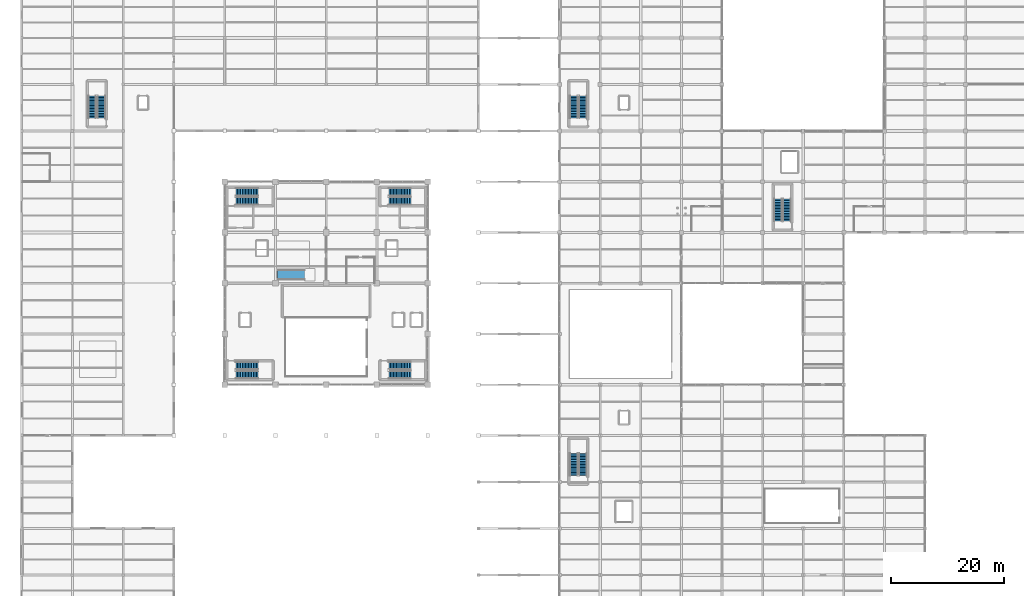
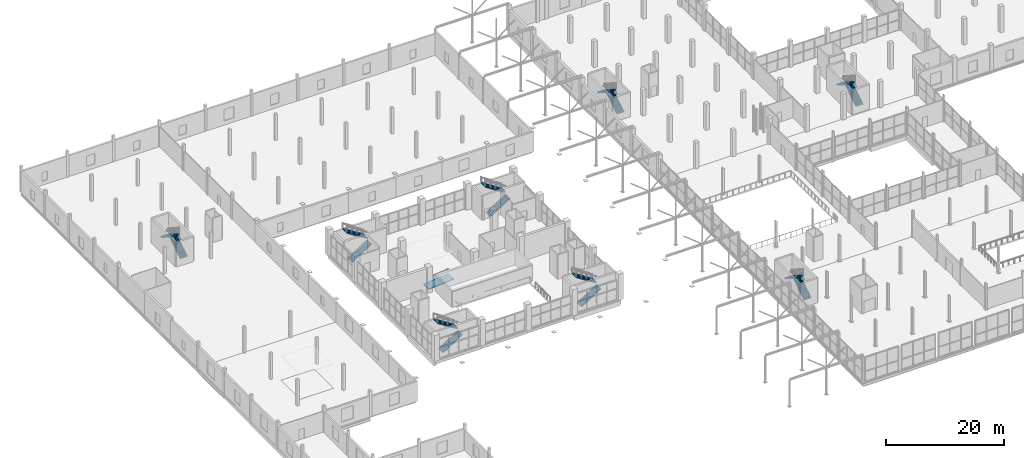
# One storey, part 137 of 147: 16 stair flights, 1 ramp flight, 9 elements without a shape of their own.
"""IFC4 building model written with IfcOpenShell, lengths in metres."""

import ifcopenshell
import ifcopenshell.guid

model = None  # the IFC model being written
_history = None  # IfcOwnerHistory: only IFC2X3 demands one
_inside = {}  # id of a spatial element -> (the spatial element, [elements in it])
_under = {}  # id of a project, library or spatial element -> (it, [spatial elements below it])
_declared = {}  # id of a project -> (the project, [libraries it declares])
_typed = {}  # id of a type object -> (the type object, [elements of that type])
_made_of = {}  # id of a material, layer set ... -> (it, [elements and type objects made of it])


def new_model(schema):
    """Start an empty IFC model of exactly this schema.

    Asked for "IFC4X3", IfcOpenShell would pick the latest addendum, in which some entities
    have other attributes; the version numbers below select the first issue.
    IFC2X3 requires an IfcOwnerHistory on every rooted entity: one is made here for all.
    """
    global model, _history
    if schema == "IFC4X3":
        model = ifcopenshell.file(schema_version=(4, 3, 0, 0))
    else:
        model = ifcopenshell.file(schema=schema)
    _inside.clear()
    _under.clear()
    _declared.clear()
    _typed.clear()
    _made_of.clear()
    _history = None
    if model.schema == "IFC2X3":
        org = make("IfcOrganization", Name="unknown")
        user = make(
            "IfcPersonAndOrganization",
            ThePerson=make("IfcPerson", FamilyName="unknown"),
            TheOrganization=org,
        )
        app = make(
            "IfcApplication",
            ApplicationDeveloper=org,
            Version="unknown",
            ApplicationFullName="unknown",
            ApplicationIdentifier="unknown",
        )
        _history = make(
            "IfcOwnerHistory",
            OwningUser=user,
            OwningApplication=app,
            ChangeAction="ADDED",
            CreationDate=0,
        )
    return model


def make(cls, **values):
    """One entity of the class cls with the attributes given. An attribute that is None is left unset."""
    return model.create_entity(
        cls, **{name: value for name, value in values.items() if value is not None}
    )


def rooted(cls, **values):
    """An entity with a GlobalId (a new one), such as an element, a storey or a relation."""
    return make(cls, GlobalId=ifcopenshell.guid.new(), OwnerHistory=_history, **values)


def si_unit(unit_type, name, prefix=None):
    """IfcSIUnit, for example si_unit("LENGTHUNIT", "METRE", prefix="MILLI")."""
    return make("IfcSIUnit", UnitType=unit_type, Prefix=prefix, Name=name)


def assignment(units):
    """IfcUnitAssignment: the units of a project."""
    return None if units is None else make("IfcUnitAssignment", Units=units)


def point(xyz):
    """IfcCartesianPoint."""
    return None if xyz is None else make("IfcCartesianPoint", Coordinates=xyz)


def direction(xyz):
    """IfcDirection."""
    return None if xyz is None else make("IfcDirection", DirectionRatios=xyz)


def frame(location, z_axis=None, x_axis=None):
    """IfcAxis2Placement3D, a coordinate frame: its origin and axes. An axis left out is left unset."""
    return make(
        "IfcAxis2Placement3D",
        Location=point(location),
        Axis=direction(z_axis),
        RefDirection=direction(x_axis),
    )


def origin():
    """The frame at (0, 0, 0) with its axes left unset."""
    return frame((0.0, 0.0, 0.0))


def place(relative_to, where):
    """IfcLocalPlacement: puts the frame where relative to a parent placement (None: the world)."""
    return make(
        "IfcLocalPlacement", PlacementRelTo=relative_to, RelativePlacement=where
    )


def context(
    kind, dimensions, precision=None, world=None, true_north=None, identifier=None
):
    """IfcGeometricRepresentationContext, for example the 3D "Model" context."""
    return make(
        "IfcGeometricRepresentationContext",
        ContextIdentifier=identifier,
        ContextType=kind,
        CoordinateSpaceDimension=dimensions,
        Precision=precision,
        WorldCoordinateSystem=world,
        TrueNorth=true_north,
    )


def subcontext(parent, identifier, kind, view, scale=None):
    """IfcGeometricRepresentationSubContext, for example "Body" below "Model"."""
    return make(
        "IfcGeometricRepresentationSubContext",
        ContextIdentifier=identifier,
        ContextType=kind,
        ParentContext=parent,
        TargetScale=scale,
        TargetView=view,
    )


def project(units=None, contexts=None):
    """IfcProject with its units and contexts."""
    return rooted(
        "IfcProject",
        Name="project",
        RepresentationContexts=contexts,
        UnitsInContext=assignment(units),
    )


def spatial(cls, under=None, at=None, **own):
    """A site, building, storey or space (cls), placed at a placement, below another one or the project."""
    s = rooted(cls, ObjectPlacement=at, **own)
    if under is not None:
        _under.setdefault(under.id(), (under, []))[1].append(s)
    return s


def polyline(points):
    """IfcPolyline through the points."""
    return make("IfcPolyline", Points=[point(p) for p in points])


def outline(outer, holes=None, kind="AREA"):
    """IfcArbitraryClosedProfileDef: a profile drawn as a closed curve; with holes, ...WithVoids."""
    if holes is None:
        return make("IfcArbitraryClosedProfileDef", ProfileType=kind, OuterCurve=outer)
    return make(
        "IfcArbitraryProfileDefWithVoids",
        ProfileType=kind,
        OuterCurve=outer,
        InnerCurves=holes,
    )


def extrude(swept, where, along, depth):
    """IfcExtrudedAreaSolid: the profile swept, set in the frame where, extruded along a direction by depth."""
    return make(
        "IfcExtrudedAreaSolid",
        SweptArea=swept,
        Position=where,
        ExtrudedDirection=direction(along),
        Depth=depth,
    )


def shape(context_of_items, identifier, shape_type, items):
    """IfcShapeRepresentation: the items that make up one representation, for example the "Body"."""
    return make(
        "IfcShapeRepresentation",
        ContextOfItems=context_of_items,
        RepresentationIdentifier=identifier,
        RepresentationType=shape_type,
        Items=items,
    )


def material(Name=None, Category=None):
    """IfcMaterial."""
    return make("IfcMaterial", Name=Name, Category=Category)


def layer(
    of_material, thickness, ventilated=None, Name=None, Category=None, Priority=None
):
    """IfcMaterialLayer: one layer of a wall or slab, of a material (None: an air gap)."""
    return make(
        "IfcMaterialLayer",
        Material=of_material,
        LayerThickness=thickness,
        IsVentilated=ventilated,
        Name=Name,
        Category=Category,
        Priority=Priority,
    )


def layer_set(layers, Name=None):
    """IfcMaterialLayerSet."""
    return make("IfcMaterialLayerSet", MaterialLayers=layers, LayerSetName=Name)


def made_of(thing, what):
    """Note that an element or type object is made of a material, layer set ...; save() writes the relation."""
    if what is not None:
        _made_of.setdefault(what.id(), (what, []))[1].append(thing)
    return thing


def type_object(cls, material=None, **own):
    """A type object (cls), such as IfcWallType, which elements share."""
    return made_of(rooted(cls, **own), material)


def element(
    cls,
    number,
    at=None,
    inside=None,
    cuts=None,
    type_object=None,
    material=None,
    context=None,
    identifier="Body",
    shape_type=None,
    held_by="IfcProductDefinitionShape",
    body=None,
    shapes=None,
    **own,
):
    """One element of the class cls, such as IfcWall. Its Tag is "e" and its number.

    at: its placement. inside: the storey or other place that contains it. cuts: it is an
    opening in that element (IfcRelVoidsElement). A single representation is given by context,
    identifier, shape_type and body (its items); several are given by shapes. held_by: the class
    of the entity that holds the representations. save() writes the other relations.
    """
    e = rooted(cls, Tag="e%d" % number, ObjectPlacement=at, **own)
    if body is not None:
        shapes = [shape(context, identifier, shape_type, body)]
    if shapes is not None:
        e.Representation = make(held_by, Representations=shapes)
    if inside is not None:
        _inside.setdefault(inside.id(), (inside, []))[1].append(e)
    if cuts is not None:
        rooted(
            "IfcRelVoidsElement", RelatingBuildingElement=cuts, RelatedOpeningElement=e
        )
    if type_object is not None:
        _typed.setdefault(type_object.id(), (type_object, []))[1].append(e)
    return made_of(e, material)


def aggregate(whole, parts):
    """IfcRelAggregates: a whole, such as a stair, and the parts it consists of."""
    return rooted("IfcRelAggregates", RelatingObject=whole, RelatedObjects=parts)


def save(model, path):
    """Write the relations noted so far, then the file.

    IfcRelAggregates (storeys below a building ...), IfcRelContainedInSpatialStructure (elements
    in a storey), IfcRelDefinesByType, IfcRelAssociatesMaterial and IfcRelDeclares: one each for
    every whole, place, type object, material and project.
    """
    for whole, parts in _under.values():
        aggregate(whole, parts)
    for where, things in _inside.values():
        rooted(
            "IfcRelContainedInSpatialStructure",
            RelatedElements=things,
            RelatingStructure=where,
        )
    for kind, things in _typed.values():
        rooted("IfcRelDefinesByType", RelatedObjects=things, RelatingType=kind)
    for what, things in _made_of.values():
        rooted("IfcRelAssociatesMaterial", RelatedObjects=things, RelatingMaterial=what)
    for by, libraries in _declared.values():
        rooted("IfcRelDeclares", RelatingContext=by, RelatedDefinitions=libraries)
    model.write(path)


model = new_model("IFC4")

# Units and contexts
model_context = context("Model", 3, precision=1e-05, world=origin(), true_north=direction((0.0, 1.0)))
body_context = subcontext(model_context, "Body", "Model", "MODEL_VIEW")
ifc_project = project(units=[si_unit("LENGTHUNIT", "METRE"), si_unit("AREAUNIT", "SQUARE_METRE"), si_unit("VOLUMEUNIT", "CUBIC_METRE"), si_unit("PLANEANGLEUNIT", "RADIAN"), si_unit("MASSUNIT", "GRAM", prefix="KILO")], contexts=[model_context])

# Site, building, storey
site_placement = place(None, origin())
site = spatial("IfcSite", under=ifc_project, at=site_placement, CompositionType="ELEMENT")
building_placement = place(site_placement, origin())
building = spatial("IfcBuilding", under=site, at=building_placement, Name="Sundgate Opera House", CompositionType="ELEMENT")
storey_placement = place(building_placement, frame((0.0, 0.0, 6.0)))
storey = spatial("IfcBuildingStorey", under=building, at=storey_placement, Name="L01", CompositionType="ELEMENT", Elevation=6.0)

# Stair, stair flights
ifc_material_1 = material(Name="Concrete C35/45", Category="concrete")
stair_type = type_object("IfcStairType", Name="ST-HT-30R-1450", PredefinedType="HALF_TURN_STAIR", material=ifc_material_1)
stair_1_placement = place(storey_placement, origin())
stair_1 = element("IfcStair", 1, at=stair_1_placement, inside=storey, type_object=stair_type, Name="L01 Escape Stair ST-01", PredefinedType="HALF_TURN_STAIR")
ifc_material_2 = material(Name="Concrete C35/45", Category="concrete")
stair_flight_type = type_object("IfcStairFlightType", Name="SF-STR-15R-1450", PredefinedType="STRAIGHT", material=ifc_material_2)
stair_flight_1_placement = place(storey_placement, frame((38.0, 43.77490234375, 0.0), z_axis=(0.0, 0.0, 1.0), x_axis=(1.0, 0.0, 0.0)))
stair_flight_1 = element("IfcStairFlight", 2, at=stair_flight_1_placement, type_object=stair_flight_type, Name="ST01L01 Flight 1", NumberOfRisers=15, NumberOfTreads=14, PredefinedType="STRAIGHT", RiserHeight=0.18, TreadLength=0.28, context=body_context, shape_type="SweptSolid", body=[
    extrude(outline(polyline([(0.0, 0.0), (0.0, 0.179931640625), (0.280029296875, 0.179931640625), (0.280029296875, 0.360107421875), (0.56005859375, 0.360107421875), (0.56005859375, 0.5400390625), (0.840087890625, 0.5400390625), (0.840087890625, 0.719970703125), (1.1201171875, 0.719970703125), (1.1201171875, 0.89990234375), (1.39990234375, 0.89990234375), (1.39990234375, 1.080078125), (1.679931640625, 1.080078125), (1.679931640625, 1.260009765625), (1.9599609375, 1.260009765625), (1.9599609375, 1.43994140625), (2.239990234375, 1.43994140625), (2.239990234375, 1.6201171875), (2.52001953125, 1.6201171875), (2.52001953125, 1.800048828125), (2.800048828125, 1.800048828125), (2.800048828125, 1.97998046875), (3.080078125, 1.97998046875), (3.080078125, 2.159912109375), (3.360107421875, 2.159912109375), (3.360107421875, 2.340087890625), (3.639892578125, 2.340087890625), (3.639892578125, 2.52001953125), (3.919921875, 2.52001953125), (3.919921875, 2.699951171875), (3.919921875, 2.341796875), (0.277099609375, 0.0), (0.0, 0.0)])), frame((0.0, 0.72509765625, 0.0), z_axis=(0.0, -1.0, 0.0), x_axis=(1.0, 0.0, 0.0)), (0.0, 0.0, 1.0), 1.449951171875),
])
stair_flight_2_placement = place(storey_placement, frame((41.919921875, 45.375, 2.699951171875), z_axis=(0.0, 0.0, 1.0), x_axis=(-1.0, 0.0, 0.0)))
stair_flight_2 = element("IfcStairFlight", 3, at=stair_flight_2_placement, type_object=stair_flight_type, Name="ST01L01 Flight 2", NumberOfRisers=15, NumberOfTreads=14, PredefinedType="STRAIGHT", RiserHeight=0.18, TreadLength=0.28, context=body_context, shape_type="SweptSolid", body=[
    extrude(outline(polyline([(0.0, 0.0), (0.0, 0.179931640625), (0.280029296875, 0.179931640625), (0.280029296875, 0.360107421875), (0.56005859375, 0.360107421875), (0.56005859375, 0.5400390625), (0.840087890625, 0.5400390625), (0.840087890625, 0.719970703125), (1.1201171875, 0.719970703125), (1.1201171875, 0.89990234375), (1.39990234375, 0.89990234375), (1.39990234375, 1.080078125), (1.679931640625, 1.080078125), (1.679931640625, 1.260009765625), (1.9599609375, 1.260009765625), (1.9599609375, 1.43994140625), (2.239990234375, 1.43994140625), (2.239990234375, 1.6201171875), (2.52001953125, 1.6201171875), (2.52001953125, 1.800048828125), (2.800048828125, 1.800048828125), (2.800048828125, 1.97998046875), (3.080078125, 1.97998046875), (3.080078125, 2.159912109375), (3.360107421875, 2.159912109375), (3.360107421875, 2.340087890625), (3.639892578125, 2.340087890625), (3.639892578125, 2.52001953125), (3.919921875, 2.52001953125), (3.919921875, 2.699951171875), (3.919921875, 2.341796875), (0.277099609375, 0.0), (0.0, 0.0)])), frame((0.0, 0.72509765625, 0.0), z_axis=(0.0, -1.0, 0.0), x_axis=(1.0, 0.0, 0.0)), (0.0, 0.0, 1.0), 1.449951171875),
])
aggregate(stair_1, [stair_flight_1, stair_flight_2])

stair_2_placement = place(storey_placement, origin())
stair_2 = element("IfcStair", 4, at=stair_2_placement, inside=storey, type_object=stair_type, Name="L01 Escape Stair ST-02", PredefinedType="HALF_TURN_STAIR")
stair_flight_3_placement = place(storey_placement, frame((38.0, 74.574951171875, 0.0), z_axis=(0.0, 0.0, 1.0), x_axis=(1.0, 0.0, 0.0)))
stair_flight_3 = element("IfcStairFlight", 5, at=stair_flight_3_placement, type_object=stair_flight_type, Name="ST02L01 Flight 1", NumberOfRisers=15, NumberOfTreads=14, PredefinedType="STRAIGHT", RiserHeight=0.18, TreadLength=0.28, context=body_context, shape_type="SweptSolid", body=[
    extrude(outline(polyline([(0.0, 0.0), (0.0, 0.179931640625), (0.280029296875, 0.179931640625), (0.280029296875, 0.360107421875), (0.56005859375, 0.360107421875), (0.56005859375, 0.5400390625), (0.840087890625, 0.5400390625), (0.840087890625, 0.719970703125), (1.1201171875, 0.719970703125), (1.1201171875, 0.89990234375), (1.39990234375, 0.89990234375), (1.39990234375, 1.080078125), (1.679931640625, 1.080078125), (1.679931640625, 1.260009765625), (1.9599609375, 1.260009765625), (1.9599609375, 1.43994140625), (2.239990234375, 1.43994140625), (2.239990234375, 1.6201171875), (2.52001953125, 1.6201171875), (2.52001953125, 1.800048828125), (2.800048828125, 1.800048828125), (2.800048828125, 1.97998046875), (3.080078125, 1.97998046875), (3.080078125, 2.159912109375), (3.360107421875, 2.159912109375), (3.360107421875, 2.340087890625), (3.639892578125, 2.340087890625), (3.639892578125, 2.52001953125), (3.919921875, 2.52001953125), (3.919921875, 2.699951171875), (3.919921875, 2.341796875), (0.277099609375, 0.0), (0.0, 0.0)])), frame((0.0, 0.72509765625, 0.0), z_axis=(0.0, -1.0, 0.0), x_axis=(1.0, 0.0, 0.0)), (0.0, 0.0, 1.0), 1.449951171875),
])
stair_flight_4_placement = place(storey_placement, frame((41.919921875, 76.175048828125, 2.699951171875), z_axis=(0.0, 0.0, 1.0), x_axis=(-1.0, 0.0, 0.0)))
stair_flight_4 = element("IfcStairFlight", 6, at=stair_flight_4_placement, type_object=stair_flight_type, Name="ST02L01 Flight 2", NumberOfRisers=15, NumberOfTreads=14, PredefinedType="STRAIGHT", RiserHeight=0.18, TreadLength=0.28, context=body_context, shape_type="SweptSolid", body=[
    extrude(outline(polyline([(0.0, 0.0), (0.0, 0.179931640625), (0.280029296875, 0.179931640625), (0.280029296875, 0.360107421875), (0.56005859375, 0.360107421875), (0.56005859375, 0.5400390625), (0.840087890625, 0.5400390625), (0.840087890625, 0.719970703125), (1.1201171875, 0.719970703125), (1.1201171875, 0.89990234375), (1.39990234375, 0.89990234375), (1.39990234375, 1.080078125), (1.679931640625, 1.080078125), (1.679931640625, 1.260009765625), (1.9599609375, 1.260009765625), (1.9599609375, 1.43994140625), (2.239990234375, 1.43994140625), (2.239990234375, 1.6201171875), (2.52001953125, 1.6201171875), (2.52001953125, 1.800048828125), (2.800048828125, 1.800048828125), (2.800048828125, 1.97998046875), (3.080078125, 1.97998046875), (3.080078125, 2.159912109375), (3.360107421875, 2.159912109375), (3.360107421875, 2.340087890625), (3.639892578125, 2.340087890625), (3.639892578125, 2.52001953125), (3.919921875, 2.52001953125), (3.919921875, 2.699951171875), (3.919921875, 2.341796875), (0.277099609375, 0.0), (0.0, 0.0)])), frame((0.0, 0.72509765625, 0.0), z_axis=(0.0, -1.0, 0.0), x_axis=(1.0, 0.0, 0.0)), (0.0, 0.0, 1.0), 1.449951171875),
])
aggregate(stair_2, [stair_flight_3, stair_flight_4])

stair_3_placement = place(storey_placement, origin())
stair_3 = element("IfcStair", 7, at=stair_3_placement, inside=storey, type_object=stair_type, Name="L01 Escape Stair ST-03", PredefinedType="HALF_TURN_STAIR")
stair_flight_5_placement = place(storey_placement, frame((65.10009765625, 43.77490234375, 0.0), z_axis=(0.0, 0.0, 1.0), x_axis=(1.0, 0.0, 0.0)))
stair_flight_5 = element("IfcStairFlight", 8, at=stair_flight_5_placement, type_object=stair_flight_type, Name="ST03L01 Flight 1", NumberOfRisers=15, NumberOfTreads=14, PredefinedType="STRAIGHT", RiserHeight=0.18, TreadLength=0.28, context=body_context, shape_type="SweptSolid", body=[
    extrude(outline(polyline([(0.0, 0.0), (0.0, 0.179931640625), (0.280029296875, 0.179931640625), (0.280029296875, 0.360107421875), (0.56005859375, 0.360107421875), (0.56005859375, 0.5400390625), (0.840087890625, 0.5400390625), (0.840087890625, 0.719970703125), (1.1201171875, 0.719970703125), (1.1201171875, 0.89990234375), (1.39990234375, 0.89990234375), (1.39990234375, 1.080078125), (1.679931640625, 1.080078125), (1.679931640625, 1.260009765625), (1.9599609375, 1.260009765625), (1.9599609375, 1.43994140625), (2.239990234375, 1.43994140625), (2.239990234375, 1.6201171875), (2.52001953125, 1.6201171875), (2.52001953125, 1.800048828125), (2.800048828125, 1.800048828125), (2.800048828125, 1.97998046875), (3.080078125, 1.97998046875), (3.080078125, 2.159912109375), (3.360107421875, 2.159912109375), (3.360107421875, 2.340087890625), (3.639892578125, 2.340087890625), (3.639892578125, 2.52001953125), (3.919921875, 2.52001953125), (3.919921875, 2.699951171875), (3.919921875, 2.341796875), (0.277099609375, 0.0), (0.0, 0.0)])), frame((0.0, 0.72509765625, 0.0), z_axis=(0.0, -1.0, 0.0), x_axis=(1.0, 0.0, 0.0)), (0.0, 0.0, 1.0), 1.449951171875),
])
stair_flight_6_placement = place(storey_placement, frame((69.02001953125, 45.375, 2.699951171875), z_axis=(0.0, 0.0, 1.0), x_axis=(-1.0, 0.0, 0.0)))
stair_flight_6 = element("IfcStairFlight", 9, at=stair_flight_6_placement, type_object=stair_flight_type, Name="ST03L01 Flight 2", NumberOfRisers=15, NumberOfTreads=14, PredefinedType="STRAIGHT", RiserHeight=0.18, TreadLength=0.28, context=body_context, shape_type="SweptSolid", body=[
    extrude(outline(polyline([(0.0, 0.0), (0.0, 0.179931640625), (0.280029296875, 0.179931640625), (0.280029296875, 0.360107421875), (0.56005859375, 0.360107421875), (0.56005859375, 0.5400390625), (0.840087890625, 0.5400390625), (0.840087890625, 0.719970703125), (1.1201171875, 0.719970703125), (1.1201171875, 0.89990234375), (1.39990234375, 0.89990234375), (1.39990234375, 1.080078125), (1.679931640625, 1.080078125), (1.679931640625, 1.260009765625), (1.9599609375, 1.260009765625), (1.9599609375, 1.43994140625), (2.239990234375, 1.43994140625), (2.239990234375, 1.6201171875), (2.52001953125, 1.6201171875), (2.52001953125, 1.800048828125), (2.800048828125, 1.800048828125), (2.800048828125, 1.97998046875), (3.080078125, 1.97998046875), (3.080078125, 2.159912109375), (3.360107421875, 2.159912109375), (3.360107421875, 2.340087890625), (3.639892578125, 2.340087890625), (3.639892578125, 2.52001953125), (3.919921875, 2.52001953125), (3.919921875, 2.699951171875), (3.919921875, 2.341796875), (0.277099609375, 0.0), (0.0, 0.0)])), frame((0.0, 0.72509765625, 0.0), z_axis=(0.0, -1.0, 0.0), x_axis=(1.0, 0.0, 0.0)), (0.0, 0.0, 1.0), 1.449951171875),
])
aggregate(stair_3, [stair_flight_5, stair_flight_6])

stair_4_placement = place(storey_placement, origin())
stair_4 = element("IfcStair", 10, at=stair_4_placement, inside=storey, type_object=stair_type, Name="L01 Escape Stair ST-04", PredefinedType="HALF_TURN_STAIR")
stair_flight_7_placement = place(storey_placement, frame((65.10009765625, 74.574951171875, 0.0), z_axis=(0.0, 0.0, 1.0), x_axis=(1.0, 0.0, 0.0)))
stair_flight_7 = element("IfcStairFlight", 11, at=stair_flight_7_placement, type_object=stair_flight_type, Name="ST04L01 Flight 1", NumberOfRisers=15, NumberOfTreads=14, PredefinedType="STRAIGHT", RiserHeight=0.18, TreadLength=0.28, context=body_context, shape_type="SweptSolid", body=[
    extrude(outline(polyline([(0.0, 0.0), (0.0, 0.179931640625), (0.280029296875, 0.179931640625), (0.280029296875, 0.360107421875), (0.56005859375, 0.360107421875), (0.56005859375, 0.5400390625), (0.840087890625, 0.5400390625), (0.840087890625, 0.719970703125), (1.1201171875, 0.719970703125), (1.1201171875, 0.89990234375), (1.39990234375, 0.89990234375), (1.39990234375, 1.080078125), (1.679931640625, 1.080078125), (1.679931640625, 1.260009765625), (1.9599609375, 1.260009765625), (1.9599609375, 1.43994140625), (2.239990234375, 1.43994140625), (2.239990234375, 1.6201171875), (2.52001953125, 1.6201171875), (2.52001953125, 1.800048828125), (2.800048828125, 1.800048828125), (2.800048828125, 1.97998046875), (3.080078125, 1.97998046875), (3.080078125, 2.159912109375), (3.360107421875, 2.159912109375), (3.360107421875, 2.340087890625), (3.639892578125, 2.340087890625), (3.639892578125, 2.52001953125), (3.919921875, 2.52001953125), (3.919921875, 2.699951171875), (3.919921875, 2.341796875), (0.277099609375, 0.0), (0.0, 0.0)])), frame((0.0, 0.72509765625, 0.0), z_axis=(0.0, -1.0, 0.0), x_axis=(1.0, 0.0, 0.0)), (0.0, 0.0, 1.0), 1.449951171875),
])
stair_flight_8_placement = place(storey_placement, frame((69.02001953125, 76.175048828125, 2.699951171875), z_axis=(0.0, 0.0, 1.0), x_axis=(-1.0, 0.0, 0.0)))
stair_flight_8 = element("IfcStairFlight", 12, at=stair_flight_8_placement, type_object=stair_flight_type, Name="ST04L01 Flight 2", NumberOfRisers=15, NumberOfTreads=14, PredefinedType="STRAIGHT", RiserHeight=0.18, TreadLength=0.28, context=body_context, shape_type="SweptSolid", body=[
    extrude(outline(polyline([(0.0, 0.0), (0.0, 0.179931640625), (0.280029296875, 0.179931640625), (0.280029296875, 0.360107421875), (0.56005859375, 0.360107421875), (0.56005859375, 0.5400390625), (0.840087890625, 0.5400390625), (0.840087890625, 0.719970703125), (1.1201171875, 0.719970703125), (1.1201171875, 0.89990234375), (1.39990234375, 0.89990234375), (1.39990234375, 1.080078125), (1.679931640625, 1.080078125), (1.679931640625, 1.260009765625), (1.9599609375, 1.260009765625), (1.9599609375, 1.43994140625), (2.239990234375, 1.43994140625), (2.239990234375, 1.6201171875), (2.52001953125, 1.6201171875), (2.52001953125, 1.800048828125), (2.800048828125, 1.800048828125), (2.800048828125, 1.97998046875), (3.080078125, 1.97998046875), (3.080078125, 2.159912109375), (3.360107421875, 2.159912109375), (3.360107421875, 2.340087890625), (3.639892578125, 2.340087890625), (3.639892578125, 2.52001953125), (3.919921875, 2.52001953125), (3.919921875, 2.699951171875), (3.919921875, 2.341796875), (0.277099609375, 0.0), (0.0, 0.0)])), frame((0.0, 0.72509765625, 0.0), z_axis=(0.0, -1.0, 0.0), x_axis=(1.0, 0.0, 0.0)), (0.0, 0.0, 1.0), 1.449951171875),
])
aggregate(stair_4, [stair_flight_7, stair_flight_8])

stair_5_placement = place(storey_placement, origin())
stair_5 = element("IfcStair", 13, at=stair_5_placement, inside=storey, type_object=stair_type, Name="L01 Escape Stair ST-05", PredefinedType="HALF_TURN_STAIR")
stair_flight_9_placement = place(storey_placement, frame((99.52490234375, 89.300048828125, 0.0), z_axis=(0.0, 0.0, 1.0), x_axis=(0.0, 1.0, 0.0)))
stair_flight_9 = element("IfcStairFlight", 14, at=stair_flight_9_placement, type_object=stair_flight_type, Name="ST05L01 Flight 1", NumberOfRisers=15, NumberOfTreads=14, PredefinedType="STRAIGHT", RiserHeight=0.18, TreadLength=0.28, context=body_context, shape_type="SweptSolid", body=[
    extrude(outline(polyline([(0.0, 0.0), (0.0, 0.179931640625), (0.280029296875, 0.179931640625), (0.280029296875, 0.360107421875), (0.56005859375, 0.360107421875), (0.56005859375, 0.5400390625), (0.840087890625, 0.5400390625), (0.840087890625, 0.719970703125), (1.1201171875, 0.719970703125), (1.1201171875, 0.89990234375), (1.39990234375, 0.89990234375), (1.39990234375, 1.080078125), (1.679931640625, 1.080078125), (1.679931640625, 1.260009765625), (1.9599609375, 1.260009765625), (1.9599609375, 1.43994140625), (2.239990234375, 1.43994140625), (2.239990234375, 1.6201171875), (2.52001953125, 1.6201171875), (2.52001953125, 1.800048828125), (2.800048828125, 1.800048828125), (2.800048828125, 1.97998046875), (3.080078125, 1.97998046875), (3.080078125, 2.159912109375), (3.360107421875, 2.159912109375), (3.360107421875, 2.340087890625), (3.639892578125, 2.340087890625), (3.639892578125, 2.52001953125), (3.919921875, 2.52001953125), (3.919921875, 2.699951171875), (3.919921875, 2.341796875), (0.277099609375, 0.0), (0.0, 0.0)])), frame((0.0, 0.72509765625, 0.0), z_axis=(0.0, -1.0, 0.0), x_axis=(1.0, 0.0, 0.0)), (0.0, 0.0, 1.0), 1.449951171875),
])
stair_flight_10_placement = place(storey_placement, frame((97.925048828125, 93.219970703125, 2.699951171875), z_axis=(0.0, 0.0, 1.0), x_axis=(0.0, -1.0, 0.0)))
stair_flight_10 = element("IfcStairFlight", 15, at=stair_flight_10_placement, type_object=stair_flight_type, Name="ST05L01 Flight 2", NumberOfRisers=15, NumberOfTreads=14, PredefinedType="STRAIGHT", RiserHeight=0.18, TreadLength=0.28, context=body_context, shape_type="SweptSolid", body=[
    extrude(outline(polyline([(0.0, 0.0), (0.0, 0.179931640625), (0.280029296875, 0.179931640625), (0.280029296875, 0.360107421875), (0.56005859375, 0.360107421875), (0.56005859375, 0.5400390625), (0.840087890625, 0.5400390625), (0.840087890625, 0.719970703125), (1.1201171875, 0.719970703125), (1.1201171875, 0.89990234375), (1.39990234375, 0.89990234375), (1.39990234375, 1.080078125), (1.679931640625, 1.080078125), (1.679931640625, 1.260009765625), (1.9599609375, 1.260009765625), (1.9599609375, 1.43994140625), (2.239990234375, 1.43994140625), (2.239990234375, 1.6201171875), (2.52001953125, 1.6201171875), (2.52001953125, 1.800048828125), (2.800048828125, 1.800048828125), (2.800048828125, 1.97998046875), (3.080078125, 1.97998046875), (3.080078125, 2.159912109375), (3.360107421875, 2.159912109375), (3.360107421875, 2.340087890625), (3.639892578125, 2.340087890625), (3.639892578125, 2.52001953125), (3.919921875, 2.52001953125), (3.919921875, 2.699951171875), (3.919921875, 2.341796875), (0.277099609375, 0.0), (0.0, 0.0)])), frame((0.0, 0.72509765625, 0.0), z_axis=(0.0, -1.0, 0.0), x_axis=(1.0, 0.0, 0.0)), (0.0, 0.0, 1.0), 1.449951171875),
])
aggregate(stair_5, [stair_flight_9, stair_flight_10])

stair_6_placement = place(storey_placement, origin())
stair_6 = element("IfcStair", 16, at=stair_6_placement, inside=storey, type_object=stair_type, Name="L01 Escape Stair ST-06", PredefinedType="HALF_TURN_STAIR")
stair_flight_11_placement = place(storey_placement, frame((135.72509765625, 71.0, 0.0), z_axis=(0.0, 0.0, 1.0), x_axis=(0.0, 1.0, 0.0)))
stair_flight_11 = element("IfcStairFlight", 17, at=stair_flight_11_placement, type_object=stair_flight_type, Name="ST06L01 Flight 1", NumberOfRisers=15, NumberOfTreads=14, PredefinedType="STRAIGHT", RiserHeight=0.18, TreadLength=0.28, context=body_context, shape_type="SweptSolid", body=[
    extrude(outline(polyline([(0.0, 0.0), (0.0, 0.179931640625), (0.280029296875, 0.179931640625), (0.280029296875, 0.360107421875), (0.56005859375, 0.360107421875), (0.56005859375, 0.5400390625), (0.840087890625, 0.5400390625), (0.840087890625, 0.719970703125), (1.1201171875, 0.719970703125), (1.1201171875, 0.89990234375), (1.39990234375, 0.89990234375), (1.39990234375, 1.080078125), (1.679931640625, 1.080078125), (1.679931640625, 1.260009765625), (1.9599609375, 1.260009765625), (1.9599609375, 1.43994140625), (2.239990234375, 1.43994140625), (2.239990234375, 1.6201171875), (2.52001953125, 1.6201171875), (2.52001953125, 1.800048828125), (2.800048828125, 1.800048828125), (2.800048828125, 1.97998046875), (3.080078125, 1.97998046875), (3.080078125, 2.159912109375), (3.360107421875, 2.159912109375), (3.360107421875, 2.340087890625), (3.639892578125, 2.340087890625), (3.639892578125, 2.52001953125), (3.919921875, 2.52001953125), (3.919921875, 2.699951171875), (3.919921875, 2.341796875), (0.277099609375, 0.0), (0.0, 0.0)])), frame((0.0, 0.72509765625, 0.0), z_axis=(0.0, -1.0, 0.0), x_axis=(1.0, 0.0, 0.0)), (0.0, 0.0, 1.0), 1.449951171875),
])
stair_flight_12_placement = place(storey_placement, frame((134.125, 74.919921875, 2.699951171875), z_axis=(0.0, 0.0, 1.0), x_axis=(0.0, -1.0, 0.0)))
stair_flight_12 = element("IfcStairFlight", 18, at=stair_flight_12_placement, type_object=stair_flight_type, Name="ST06L01 Flight 2", NumberOfRisers=15, NumberOfTreads=14, PredefinedType="STRAIGHT", RiserHeight=0.18, TreadLength=0.28, context=body_context, shape_type="SweptSolid", body=[
    extrude(outline(polyline([(0.0, 0.0), (0.0, 0.179931640625), (0.280029296875, 0.179931640625), (0.280029296875, 0.360107421875), (0.56005859375, 0.360107421875), (0.56005859375, 0.5400390625), (0.840087890625, 0.5400390625), (0.840087890625, 0.719970703125), (1.1201171875, 0.719970703125), (1.1201171875, 0.89990234375), (1.39990234375, 0.89990234375), (1.39990234375, 1.080078125), (1.679931640625, 1.080078125), (1.679931640625, 1.260009765625), (1.9599609375, 1.260009765625), (1.9599609375, 1.43994140625), (2.239990234375, 1.43994140625), (2.239990234375, 1.6201171875), (2.52001953125, 1.6201171875), (2.52001953125, 1.800048828125), (2.800048828125, 1.800048828125), (2.800048828125, 1.97998046875), (3.080078125, 1.97998046875), (3.080078125, 2.159912109375), (3.360107421875, 2.159912109375), (3.360107421875, 2.340087890625), (3.639892578125, 2.340087890625), (3.639892578125, 2.52001953125), (3.919921875, 2.52001953125), (3.919921875, 2.699951171875), (3.919921875, 2.341796875), (0.277099609375, 0.0), (0.0, 0.0)])), frame((0.0, 0.72509765625, 0.0), z_axis=(0.0, -1.0, 0.0), x_axis=(1.0, 0.0, 0.0)), (0.0, 0.0, 1.0), 1.449951171875),
])
aggregate(stair_6, [stair_flight_11, stair_flight_12])

stair_7_placement = place(storey_placement, origin())
stair_7 = element("IfcStair", 19, at=stair_7_placement, inside=storey, type_object=stair_type, Name="L01 Escape Stair ST-07", PredefinedType="HALF_TURN_STAIR")
stair_flight_13_placement = place(storey_placement, frame((99.52490234375, 25.89990234375, 0.0), z_axis=(0.0, 0.0, 1.0), x_axis=(0.0, 1.0, 0.0)))
stair_flight_13 = element("IfcStairFlight", 20, at=stair_flight_13_placement, type_object=stair_flight_type, Name="ST07L01 Flight 1", NumberOfRisers=15, NumberOfTreads=14, PredefinedType="STRAIGHT", RiserHeight=0.18, TreadLength=0.28, context=body_context, shape_type="SweptSolid", body=[
    extrude(outline(polyline([(0.0, 0.0), (0.0, 0.179931640625), (0.280029296875, 0.179931640625), (0.280029296875, 0.360107421875), (0.56005859375, 0.360107421875), (0.56005859375, 0.5400390625), (0.840087890625, 0.5400390625), (0.840087890625, 0.719970703125), (1.1201171875, 0.719970703125), (1.1201171875, 0.89990234375), (1.39990234375, 0.89990234375), (1.39990234375, 1.080078125), (1.679931640625, 1.080078125), (1.679931640625, 1.260009765625), (1.9599609375, 1.260009765625), (1.9599609375, 1.43994140625), (2.239990234375, 1.43994140625), (2.239990234375, 1.6201171875), (2.52001953125, 1.6201171875), (2.52001953125, 1.800048828125), (2.800048828125, 1.800048828125), (2.800048828125, 1.97998046875), (3.080078125, 1.97998046875), (3.080078125, 2.159912109375), (3.360107421875, 2.159912109375), (3.360107421875, 2.340087890625), (3.639892578125, 2.340087890625), (3.639892578125, 2.52001953125), (3.919921875, 2.52001953125), (3.919921875, 2.699951171875), (3.919921875, 2.341796875), (0.277099609375, 0.0), (0.0, 0.0)])), frame((0.0, 0.72509765625, 0.0), z_axis=(0.0, -1.0, 0.0), x_axis=(1.0, 0.0, 0.0)), (0.0, 0.0, 1.0), 1.449951171875),
])
stair_flight_14_placement = place(storey_placement, frame((97.925048828125, 29.820068359375, 2.699951171875), z_axis=(0.0, 0.0, 1.0), x_axis=(0.0, -1.0, 0.0)))
stair_flight_14 = element("IfcStairFlight", 21, at=stair_flight_14_placement, type_object=stair_flight_type, Name="ST07L01 Flight 2", NumberOfRisers=15, NumberOfTreads=14, PredefinedType="STRAIGHT", RiserHeight=0.18, TreadLength=0.28, context=body_context, shape_type="SweptSolid", body=[
    extrude(outline(polyline([(0.0, 0.0), (0.0, 0.179931640625), (0.280029296875, 0.179931640625), (0.280029296875, 0.360107421875), (0.56005859375, 0.360107421875), (0.56005859375, 0.5400390625), (0.840087890625, 0.5400390625), (0.840087890625, 0.719970703125), (1.1201171875, 0.719970703125), (1.1201171875, 0.89990234375), (1.39990234375, 0.89990234375), (1.39990234375, 1.080078125), (1.679931640625, 1.080078125), (1.679931640625, 1.260009765625), (1.9599609375, 1.260009765625), (1.9599609375, 1.43994140625), (2.239990234375, 1.43994140625), (2.239990234375, 1.6201171875), (2.52001953125, 1.6201171875), (2.52001953125, 1.800048828125), (2.800048828125, 1.800048828125), (2.800048828125, 1.97998046875), (3.080078125, 1.97998046875), (3.080078125, 2.159912109375), (3.360107421875, 2.159912109375), (3.360107421875, 2.340087890625), (3.639892578125, 2.340087890625), (3.639892578125, 2.52001953125), (3.919921875, 2.52001953125), (3.919921875, 2.699951171875), (3.919921875, 2.341796875), (0.277099609375, 0.0), (0.0, 0.0)])), frame((0.0, 0.72509765625, 0.0), z_axis=(0.0, -1.0, 0.0), x_axis=(1.0, 0.0, 0.0)), (0.0, 0.0, 1.0), 1.449951171875),
])
aggregate(stair_7, [stair_flight_13, stair_flight_14])

stair_8_placement = place(storey_placement, origin())
stair_8 = element("IfcStair", 22, at=stair_8_placement, inside=storey, type_object=stair_type, Name="L01 Escape Stair ST-08", PredefinedType="HALF_TURN_STAIR")
stair_flight_15_placement = place(storey_placement, frame((14.125, 89.300048828125, 0.0), z_axis=(0.0, 0.0, 1.0), x_axis=(0.0, 1.0, 0.0)))
stair_flight_15 = element("IfcStairFlight", 23, at=stair_flight_15_placement, type_object=stair_flight_type, Name="ST08L01 Flight 1", NumberOfRisers=15, NumberOfTreads=14, PredefinedType="STRAIGHT", RiserHeight=0.18, TreadLength=0.28, context=body_context, shape_type="SweptSolid", body=[
    extrude(outline(polyline([(0.0, 0.0), (0.0, 0.179931640625), (0.280029296875, 0.179931640625), (0.280029296875, 0.360107421875), (0.56005859375, 0.360107421875), (0.56005859375, 0.5400390625), (0.840087890625, 0.5400390625), (0.840087890625, 0.719970703125), (1.1201171875, 0.719970703125), (1.1201171875, 0.89990234375), (1.39990234375, 0.89990234375), (1.39990234375, 1.080078125), (1.679931640625, 1.080078125), (1.679931640625, 1.260009765625), (1.9599609375, 1.260009765625), (1.9599609375, 1.43994140625), (2.239990234375, 1.43994140625), (2.239990234375, 1.6201171875), (2.52001953125, 1.6201171875), (2.52001953125, 1.800048828125), (2.800048828125, 1.800048828125), (2.800048828125, 1.97998046875), (3.080078125, 1.97998046875), (3.080078125, 2.159912109375), (3.360107421875, 2.159912109375), (3.360107421875, 2.340087890625), (3.639892578125, 2.340087890625), (3.639892578125, 2.52001953125), (3.919921875, 2.52001953125), (3.919921875, 2.699951171875), (3.919921875, 2.341796875), (0.277099609375, 0.0), (0.0, 0.0)])), frame((0.0, 0.72509765625, 0.0), z_axis=(0.0, -1.0, 0.0), x_axis=(1.0, 0.0, 0.0)), (0.0, 0.0, 1.0), 1.449951171875),
])
stair_flight_16_placement = place(storey_placement, frame((12.52490234375, 93.219970703125, 2.699951171875), z_axis=(0.0, 0.0, 1.0), x_axis=(0.0, -1.0, 0.0)))
stair_flight_16 = element("IfcStairFlight", 24, at=stair_flight_16_placement, type_object=stair_flight_type, Name="ST08L01 Flight 2", NumberOfRisers=15, NumberOfTreads=14, PredefinedType="STRAIGHT", RiserHeight=0.18, TreadLength=0.28, context=body_context, shape_type="SweptSolid", body=[
    extrude(outline(polyline([(0.0, 0.0), (0.0, 0.179931640625), (0.280029296875, 0.179931640625), (0.280029296875, 0.360107421875), (0.56005859375, 0.360107421875), (0.56005859375, 0.5400390625), (0.840087890625, 0.5400390625), (0.840087890625, 0.719970703125), (1.1201171875, 0.719970703125), (1.1201171875, 0.89990234375), (1.39990234375, 0.89990234375), (1.39990234375, 1.080078125), (1.679931640625, 1.080078125), (1.679931640625, 1.260009765625), (1.9599609375, 1.260009765625), (1.9599609375, 1.43994140625), (2.239990234375, 1.43994140625), (2.239990234375, 1.6201171875), (2.52001953125, 1.6201171875), (2.52001953125, 1.800048828125), (2.800048828125, 1.800048828125), (2.800048828125, 1.97998046875), (3.080078125, 1.97998046875), (3.080078125, 2.159912109375), (3.360107421875, 2.159912109375), (3.360107421875, 2.340087890625), (3.639892578125, 2.340087890625), (3.639892578125, 2.52001953125), (3.919921875, 2.52001953125), (3.919921875, 2.699951171875), (3.919921875, 2.341796875), (0.277099609375, 0.0), (0.0, 0.0)])), frame((0.0, 0.72509765625, 0.0), z_axis=(0.0, -1.0, 0.0), x_axis=(1.0, 0.0, 0.0)), (0.0, 0.0, 1.0), 1.449951171875),
])
aggregate(stair_8, [stair_flight_15, stair_flight_16])

# Ramp, ramp flight
ifc_material_3 = material(Name="Concrete C35/45", Category="concrete")
ifc_layer_1 = layer(ifc_material_3, 0.219970703125)
ifc_layer_set_1 = layer_set([ifc_layer_1], Name="Concrete C35/45")
ramp_type = type_object("IfcRampType", Name="RP-PED-1800", PredefinedType="STRAIGHT_RUN_RAMP", material=ifc_layer_set_1)
ramp_placement = place(storey_placement, origin())
ramp = element("IfcRamp", 25, at=ramp_placement, inside=storey, type_object=ramp_type, Name="Orchestra Musicians Accessible Ramp", PredefinedType="STRAIGHT_RUN_RAMP")
ifc_material_4 = material(Name="Concrete C35/45", Category="concrete")
ifc_layer_2 = layer(ifc_material_4, 0.219970703125)
ifc_layer_set_2 = layer_set([ifc_layer_2], Name="Concrete C35/45")
ramp_flight_type = type_object("IfcRampFlightType", Name="RPF-PED-220", PredefinedType="STRAIGHT", material=ifc_layer_set_2)
ramp_flight_placement = place(storey_placement, frame((45.39501953125, 61.5, 0.0), z_axis=(0.0, 0.0, 1.0), x_axis=(1.0, 0.0, 0.0)))
ramp_flight = element("IfcRampFlight", 26, at=ramp_flight_placement, type_object=ramp_flight_type, Name="Orchestra Musicians Accessible Ramp Flight", PredefinedType="STRAIGHT", context=body_context, shape_type="SweptSolid", body=[
    extrude(outline(polyline([(0.0, 0.0), (0.0, -0.219970703125), (4.919921875, 0.179931640625), (4.919921875, 0.39990234375), (0.0, 0.0)])), frame((0.0, 0.89990234375, 0.0), z_axis=(0.0, -1.0, 0.0), x_axis=(1.0, 0.0, 0.0)), (0.0, 0.0, 1.0), 1.800048828125),
])
aggregate(ramp, [ramp_flight])

save(model, "model.ifc")
